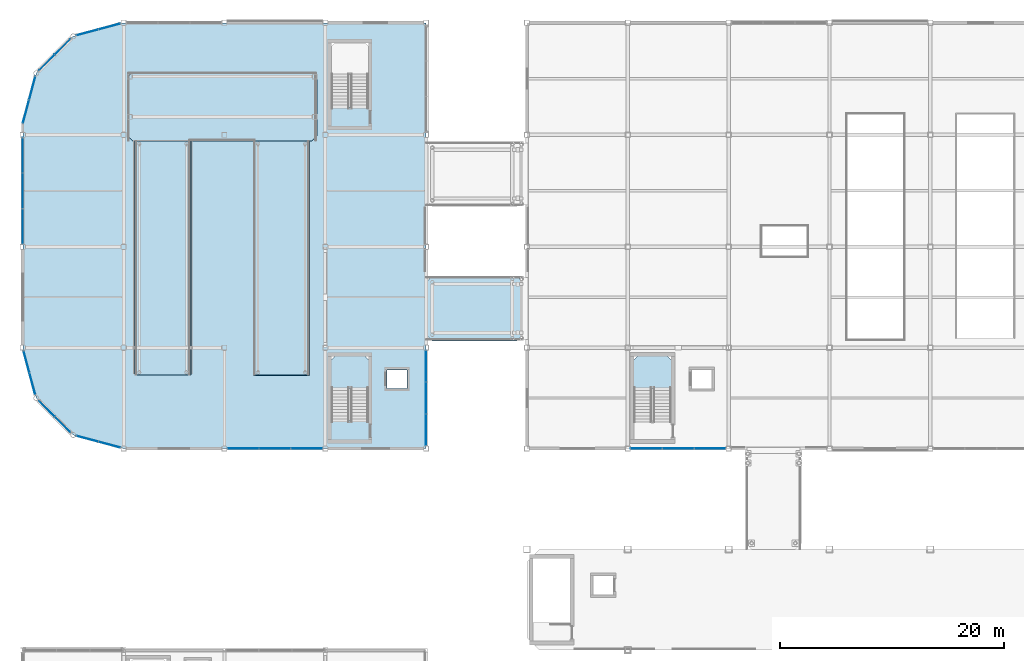
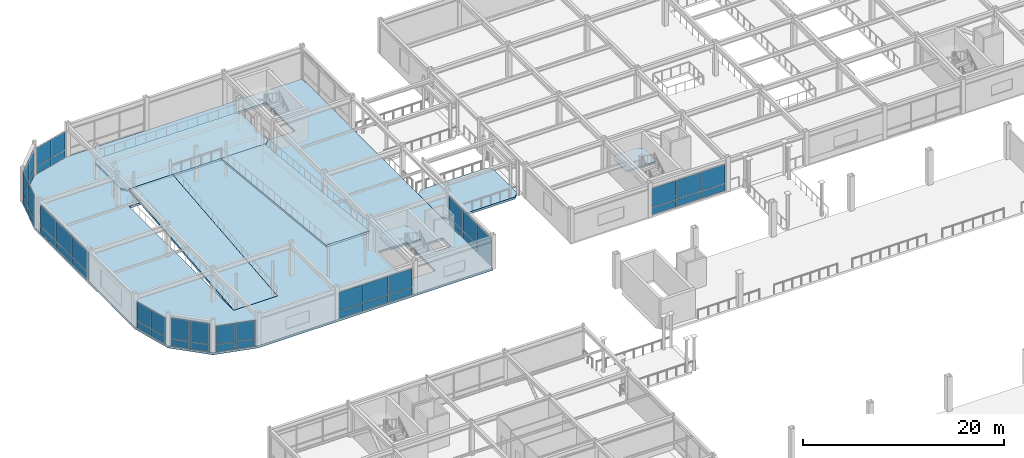
# One storey, part 63 of 105: 48 plates, 7 slabs, 12 elements without a shape of their own.
"""IFC4 building model written with IfcOpenShell, lengths in metres."""

from ifc_helpers import new_model, si_unit, direction, frame, origin, origin_2d, place, context, subcontext, project, spatial, polyline, rectangle, outline, extrude, material, layer, layer_set, type_object, element, aggregate, save


model = new_model("IFC4")

# Units and contexts
model_context = context("Model", 3, precision=1e-05, world=origin(), true_north=direction((0.0, 1.0)))
body_context = subcontext(model_context, "Body", "Model", "MODEL_VIEW")
ifc_project = project(units=[si_unit("LENGTHUNIT", "METRE"), si_unit("AREAUNIT", "SQUARE_METRE"), si_unit("VOLUMEUNIT", "CUBIC_METRE"), si_unit("PLANEANGLEUNIT", "RADIAN"), si_unit("MASSUNIT", "GRAM", prefix="KILO")], contexts=[model_context])

# Site, building, storey
site_placement = place(None, origin())
site = spatial("IfcSite", under=ifc_project, at=site_placement, CompositionType="ELEMENT")
building_placement = place(site_placement, origin())
building = spatial("IfcBuilding", under=site, at=building_placement, Name="Suzunagisa Mobility Hub", CompositionType="ELEMENT")
storey_placement = place(building_placement, frame((0.0, 0.0, 5.10009765625)))
storey = spatial("IfcBuildingStorey", under=building, at=storey_placement, Name="L01", CompositionType="ELEMENT", Elevation=5.10009765625)

# Slabs
ifc_material_1 = material(Name="Concrete C35/45", Category="concrete")
ifc_layer_1 = layer(ifc_material_1, 0.260009765625)
ifc_layer_set_1 = layer_set([ifc_layer_1], Name="Concrete C35/45")
slab_type_1 = type_object("IfcSlabType", Name="Composite Slab SL-12 260mm", PredefinedType="FLOOR", material=ifc_layer_set_1)
slab_1_placement = place(storey_placement, frame((0.0, 0.0, -0.260009765625)))
element("IfcSlab", 1, at=slab_1_placement, inside=storey, type_object=slab_type_1, Name="L01 V2 Floor Slab", PredefinedType="FLOOR", context=body_context, shape_type="SweptSolid", body=[
    extrude(outline(polyline([(0.0, 89.0), (1.205810546875, 84.5), (4.5, 81.205810546875), (9.0, 80.0), (36.0, 80.0), (36.0, 118.0), (9.0, 118.0), (4.5, 116.794189453125), (1.205810546875, 113.5), (0.0, 109.0), (0.0, 89.0)]), holes=[polyline([(27.56005859375, 82.47998046875), (30.840087890625, 82.47998046875), (30.840087890625, 88.199951171875), (27.56005859375, 88.199951171875), (27.56005859375, 82.47998046875)]), polyline([(32.52001953125, 85.3701171875), (34.280029296875, 85.3701171875), (34.280029296875, 87.030029296875), (32.52001953125, 87.030029296875), (32.52001953125, 85.3701171875)]), polyline([(27.56005859375, 110.47998046875), (30.840087890625, 110.47998046875), (30.840087890625, 116.199951171875), (27.56005859375, 116.199951171875), (27.56005859375, 110.47998046875)]), polyline([(9.97998046875, 86.64990234375), (15.02001953125, 86.64990234375), (15.02001953125, 107.39990234375), (9.97998046875, 107.39990234375), (9.97998046875, 86.64990234375)])]), origin(), (0.0, 0.0, 1.0), 0.260009765625),
])
slab_2_placement = place(storey_placement, frame((0.0, 0.0, -0.260009765625)))
element("IfcSlab", 2, at=slab_2_placement, inside=storey, type_object=slab_type_1, Name="L01 Bridge Deck VRL-L01-S", PredefinedType="FLOOR", context=body_context, shape_type="SweptSolid", body=[
    extrude(outline(polyline([(36.550048828125, 89.60009765625), (44.10009765625, 89.60009765625), (44.64990234375, 90.14990234375), (44.64990234375, 94.85009765625), (44.10009765625, 95.39990234375), (36.550048828125, 95.39990234375), (36.0, 94.85009765625), (36.0, 90.14990234375), (36.550048828125, 89.60009765625)])), origin(), (0.0, 0.0, 1.0), 0.260009765625),
])
ifc_layer_2 = layer(ifc_material_1, 0.25)
ifc_layer_set_2 = layer_set([ifc_layer_2], Name="Concrete C35/45")
slab_type_2 = type_object("IfcSlabType", Name="Composite Slab SL-13 250mm", PredefinedType="FLOOR", material=ifc_layer_set_2)
slab_3_placement = place(storey_placement, frame((0.0, 0.0, 1.849853515625)))
element("IfcSlab", 3, at=slab_3_placement, inside=storey, type_object=slab_type_2, Name="L01 Vehicle Ramp Turn Deck VR-04-L1", PredefinedType="FLOOR", context=body_context, shape_type="SweptSolid", body=[
    extrude(outline(polyline([(9.800048828125, 107.449951171875), (25.800048828125, 107.449951171875), (26.25, 107.89990234375), (26.25, 113.14990234375), (25.800048828125, 113.60009765625), (9.800048828125, 113.60009765625), (9.35009765625, 113.14990234375), (9.35009765625, 107.89990234375), (9.800048828125, 107.449951171875)])), origin(), (0.0, 0.0, 1.0), 0.25),
])
ifc_layer_3 = layer(ifc_material_1, 0.25)
ifc_layer_set_3 = layer_set([ifc_layer_3], Name="Concrete C35/45")
slab_type_3 = type_object("IfcSlabType", Name="Composite Slab SL-19 250mm", PredefinedType="FLOOR", material=ifc_layer_set_3)
slab_4_placement = place(storey_placement, frame((10.0, 86.550048828125, 0.0), z_axis=(0.0, -0.099968624446, 0.994990589969), x_axis=(1.0, 0.0, 0.0)))
element("IfcSlab", 4, at=slab_4_placement, inside=storey, type_object=slab_type_3, Name="L01 Vehicle Ramp Slab VR-04-F1", PredefinedType="FLOOR", context=body_context, shape_type="SweptSolid", body=[
    extrude(outline(polyline([(0.0, 0.0), (5.0, 0.0), (5.0, 21.005125630792342), (0.0, 21.005125630792342), (0.0, 0.0)])), origin(), (0.0, 0.0, -1.0), 0.25),
])
slab_5_placement = place(storey_placement, frame((20.60009765625, 107.449951171875, 2.099853515625), z_axis=(0.0, 0.099980131177, 0.994989433798), x_axis=(1.0, 0.0, 0.0)))
element("IfcSlab", 5, at=slab_5_placement, inside=storey, type_object=slab_type_3, Name="L01 Vehicle Ramp Slab VR-04-F2", PredefinedType="FLOOR", context=body_context, shape_type="SweptSolid", body=[
    extrude(outline(polyline([(0.0, 0.0), (5.0, 0.0), (5.0, -21.005150038599428), (0.0, -21.005150038599428), (0.0, 0.0)])), origin(), (0.0, 0.0, -1.0), 0.25),
])

# Stair, slab
stair_type_1 = type_object("IfcStairType", Name="Dog-Leg Core Escape Stair ST-05 W1560", PredefinedType="HALF_TURN_STAIR", material=ifc_material_1)
stair_1_placement = place(storey_placement, origin())
stair_1 = element("IfcStair", 6, at=stair_1_placement, inside=storey, type_object=stair_type_1, Name="L01 Core C6 Escape Stair ST-05", PredefinedType="HALF_TURN_STAIR")
ifc_layer_4 = layer(ifc_material_1, 0.199951171875)
ifc_layer_set_4 = layer_set([ifc_layer_4], Name="Concrete C35/45")
slab_type_4 = type_object("IfcSlabType", Name="Core Stair Half-Landing Slab SL-SLND", PredefinedType="LANDING", material=ifc_layer_set_4)
slab_6_placement = place(storey_placement, frame((0.0, 0.0, 1.89990234375)))
slab_6 = element("IfcSlab", 7, at=slab_6_placement, type_object=slab_type_4, Name="ST-05 landing 1", PredefinedType="LANDING", context=body_context, shape_type="SweptSolid", body=[
    extrude(outline(polyline([(27.4599609375, 85.360107421875), (30.93994140625, 85.360107421875), (30.93994140625, 87.820068359375), (30.4599609375, 88.300048828125), (27.93994140625, 88.300048828125), (27.4599609375, 87.820068359375), (27.4599609375, 85.360107421875)])), origin(), (0.0, 0.0, 1.0), 0.199951171875),
])
aggregate(stair_1, [slab_6])

stair_type_2 = type_object("IfcStairType", Name="Dog-Leg Core Escape Stair ST-07 W1560", PredefinedType="HALF_TURN_STAIR", material=ifc_material_1)
stair_2_placement = place(storey_placement, origin())
stair_2 = element("IfcStair", 8, at=stair_2_placement, inside=storey, type_object=stair_type_2, Name="L01 Core C3 Escape Stair ST-07", PredefinedType="HALF_TURN_STAIR")
slab_7_placement = place(storey_placement, frame((0.0, 0.0, 1.89990234375)))
slab_7 = element("IfcSlab", 9, at=slab_7_placement, type_object=slab_type_4, Name="ST-07 landing 1", PredefinedType="LANDING", context=body_context, shape_type="SweptSolid", body=[
    extrude(outline(polyline([(54.4599609375, 85.360107421875), (57.93994140625, 85.360107421875), (57.93994140625, 87.820068359375), (57.4599609375, 88.300048828125), (54.93994140625, 88.300048828125), (54.4599609375, 87.820068359375), (54.4599609375, 85.360107421875)])), origin(), (0.0, 0.0, 1.0), 0.199951171875),
])
aggregate(stair_2, [slab_7])

# Curtain wall, plates
ifc_material_2 = material(Name="Thermally Broken Anodized Aluminum and Low-E Glazing", Category="aluminium")
curtain_wall_type_1 = type_object("IfcCurtainWallType", Name="Unitised Curtain Wall CW-10 4000x3300", PredefinedType="USERDEFINED", material=ifc_material_2)
curtain_wall_1_placement = place(storey_placement, origin())
curtain_wall_1 = element("IfcCurtainWall", 10, at=curtain_wall_1_placement, inside=storey, type_object=curtain_wall_type_1, Name="L01 Unitised Curtain Wall CW-52", ObjectType="UNITISED CURTAIN WALL", PredefinedType="USERDEFINED")
ifc_material_3 = material(Name="Low-E Solar-Control Double Glazing", Category="glass")
ifc_layer_5 = layer(ifc_material_3, 0.028076171875)
ifc_layer_set_5 = layer_set([ifc_layer_5], Name="Low-E Solar-Control Double Glazing")
plate_type = type_object("IfcPlateType", Name="Low-E Double Glazed Curtain Panel GP-01 28mm", PredefinedType="CURTAIN_PANEL", material=ifc_layer_set_5)
plate_1_placement = place(storey_placement, frame((0.3408203125, 87.728515625, 0.05810546875), z_axis=(0.0, 0.0, 1.0), x_axis=(0.258821357779, -0.965925206606, 0.0)))
plate_1 = element("IfcPlate", 11, at=plate_1_placement, type_object=plate_type, Name="Curtain Wall Glazing Panel 52-P1.1", PredefinedType="CURTAIN_PANEL", context=body_context, shape_type="SweptSolid", body=[
    extrude(rectangle(XDim=1.965576171875, YDim=0.028076171875, at=origin_2d()), origin(), (0.0, 0.0, 1.0), 0.864013671875),
])
plate_2_placement = place(storey_placement, frame((0.3408203125, 87.728515625, 0.97802734375), z_axis=(0.0, 0.0, 1.0), x_axis=(0.258821357779, -0.965925206606, 0.0)))
plate_2 = element("IfcPlate", 12, at=plate_2_placement, type_object=plate_type, Name="Curtain Wall Glazing Panel 52-P1.2", PredefinedType="CURTAIN_PANEL", context=body_context, shape_type="SweptSolid", body=[
    extrude(rectangle(XDim=1.965576171875, YDim=0.028076171875, at=origin_2d()), origin(), (0.0, 0.0, 1.0), 2.25390625),
])
plate_3_placement = place(storey_placement, frame((0.864013671875, 85.77587890625, 0.05810546875), z_axis=(0.0, 0.0, 1.0), x_axis=(0.258821357779, -0.965925206606, 0.0)))
plate_3 = element("IfcPlate", 13, at=plate_3_placement, type_object=plate_type, Name="Curtain Wall Glazing Panel 52-P2.1", PredefinedType="CURTAIN_PANEL", context=body_context, shape_type="SweptSolid", body=[
    extrude(rectangle(XDim=1.965576171875, YDim=0.028076171875, at=origin_2d()), origin(), (0.0, 0.0, 1.0), 0.864013671875),
])
plate_4_placement = place(storey_placement, frame((0.864013671875, 85.77587890625, 0.97802734375), z_axis=(0.0, 0.0, 1.0), x_axis=(0.258821357779, -0.965925206606, 0.0)))
plate_4 = element("IfcPlate", 14, at=plate_4_placement, type_object=plate_type, Name="Curtain Wall Glazing Panel 52-P2.2", PredefinedType="CURTAIN_PANEL", context=body_context, shape_type="SweptSolid", body=[
    extrude(rectangle(XDim=1.965576171875, YDim=0.028076171875, at=origin_2d()), origin(), (0.0, 0.0, 1.0), 2.25390625),
])
aggregate(curtain_wall_1, [plate_1, plate_2, plate_3, plate_4])

curtain_wall_type_2 = type_object("IfcCurtainWallType", Name="Unitised Curtain Wall CW-23 4000x3500", PredefinedType="USERDEFINED", material=ifc_material_2)
curtain_wall_2_placement = place(storey_placement, origin())
curtain_wall_2 = element("IfcCurtainWall", 15, at=curtain_wall_2_placement, inside=storey, type_object=curtain_wall_type_2, Name="L01 Unitised Curtain Wall CW-53", ObjectType="UNITISED CURTAIN WALL", PredefinedType="USERDEFINED")
plate_5_placement = place(storey_placement, frame((2.154296875, 83.551513671875, 0.05810546875), z_axis=(0.0, 0.0, 1.0), x_axis=(0.707106781187, -0.707106781187, 0.0)))
plate_5 = element("IfcPlate", 16, at=plate_5_placement, type_object=plate_type, Name="Curtain Wall Glazing Panel 53-P1.1", PredefinedType="CURTAIN_PANEL", context=body_context, shape_type="SweptSolid", body=[
    extrude(rectangle(XDim=1.920166015625, YDim=0.028076171875, at=origin_2d()), origin(), (0.0, 0.0, 1.0), 0.864013671875),
])
plate_6_placement = place(storey_placement, frame((2.154296875, 83.551513671875, 0.97802734375), z_axis=(0.0, 0.0, 1.0), x_axis=(0.707106781187, -0.707106781187, 0.0)))
plate_6 = element("IfcPlate", 17, at=plate_6_placement, type_object=plate_type, Name="Curtain Wall Glazing Panel 53-P1.2", PredefinedType="CURTAIN_PANEL", context=body_context, shape_type="SweptSolid", body=[
    extrude(rectangle(XDim=1.920166015625, YDim=0.028076171875, at=origin_2d()), origin(), (0.0, 0.0, 1.0), 2.50390625),
])
plate_7_placement = place(storey_placement, frame((3.551513671875, 82.154296875, 0.05810546875), z_axis=(0.0, 0.0, 1.0), x_axis=(0.707106781187, -0.707106781187, 0.0)))
plate_7 = element("IfcPlate", 18, at=plate_7_placement, type_object=plate_type, Name="Curtain Wall Glazing Panel 53-P2.1", PredefinedType="CURTAIN_PANEL", context=body_context, shape_type="SweptSolid", body=[
    extrude(rectangle(XDim=1.919921875, YDim=0.028076171875, at=origin_2d()), origin(), (0.0, 0.0, 1.0), 0.864013671875),
])
plate_8_placement = place(storey_placement, frame((3.551513671875, 82.154296875, 0.97802734375), z_axis=(0.0, 0.0, 1.0), x_axis=(0.707106781187, -0.707106781187, 0.0)))
plate_8 = element("IfcPlate", 19, at=plate_8_placement, type_object=plate_type, Name="Curtain Wall Glazing Panel 53-P2.2", PredefinedType="CURTAIN_PANEL", context=body_context, shape_type="SweptSolid", body=[
    extrude(rectangle(XDim=1.919921875, YDim=0.028076171875, at=origin_2d()), origin(), (0.0, 0.0, 1.0), 2.50390625),
])
aggregate(curtain_wall_2, [plate_5, plate_6, plate_7, plate_8])

curtain_wall_type_3 = type_object("IfcCurtainWallType", Name="Unitised Curtain Wall CW-31 4000x3200", PredefinedType="USERDEFINED", material=ifc_material_2)
curtain_wall_3_placement = place(storey_placement, origin())
curtain_wall_3 = element("IfcCurtainWall", 20, at=curtain_wall_3_placement, inside=storey, type_object=curtain_wall_type_3, Name="L01 Unitised Curtain Wall CW-54", ObjectType="UNITISED CURTAIN WALL", PredefinedType="USERDEFINED")
plate_9_placement = place(storey_placement, frame((5.775634765625, 80.864013671875, 0.05810546875), z_axis=(0.0, 0.0, 1.0), x_axis=(0.965925206606, -0.258821357779, 0.0)))
plate_9 = element("IfcPlate", 21, at=plate_9_placement, type_object=plate_type, Name="Curtain Wall Glazing Panel 54-P1.1", PredefinedType="CURTAIN_PANEL", context=body_context, shape_type="SweptSolid", body=[
    extrude(rectangle(XDim=1.965576171875, YDim=0.028076171875, at=origin_2d()), origin(), (0.0, 0.0, 1.0), 0.864013671875),
])
plate_10_placement = place(storey_placement, frame((5.775634765625, 80.864013671875, 0.977783203125), z_axis=(0.0, 0.0, 1.0), x_axis=(0.965925206606, -0.258821357779, 0.0)))
plate_10 = element("IfcPlate", 22, at=plate_10_placement, type_object=plate_type, Name="Curtain Wall Glazing Panel 54-P1.2", PredefinedType="CURTAIN_PANEL", context=body_context, shape_type="SweptSolid", body=[
    extrude(rectangle(XDim=1.965576171875, YDim=0.028076171875, at=origin_2d()), origin(), (0.0, 0.0, 1.0), 2.2041015625),
])
plate_11_placement = place(storey_placement, frame((7.728515625, 80.3408203125, 0.05810546875), z_axis=(0.0, 0.0, 1.0), x_axis=(0.965925206606, -0.258821357779, 0.0)))
plate_11 = element("IfcPlate", 23, at=plate_11_placement, type_object=plate_type, Name="Curtain Wall Glazing Panel 54-P2.1", PredefinedType="CURTAIN_PANEL", context=body_context, shape_type="SweptSolid", body=[
    extrude(rectangle(XDim=1.965576171875, YDim=0.028076171875, at=origin_2d()), origin(), (0.0, 0.0, 1.0), 0.864013671875),
])
plate_12_placement = place(storey_placement, frame((7.728515625, 80.3408203125, 0.977783203125), z_axis=(0.0, 0.0, 1.0), x_axis=(0.965925206606, -0.258821357779, 0.0)))
plate_12 = element("IfcPlate", 24, at=plate_12_placement, type_object=plate_type, Name="Curtain Wall Glazing Panel 54-P2.2", PredefinedType="CURTAIN_PANEL", context=body_context, shape_type="SweptSolid", body=[
    extrude(rectangle(XDim=1.965576171875, YDim=0.028076171875, at=origin_2d()), origin(), (0.0, 0.0, 1.0), 2.2041015625),
])
aggregate(curtain_wall_3, [plate_9, plate_10, plate_11, plate_12])

curtain_wall_type_4 = type_object("IfcCurtainWallType", Name="Unitised Curtain Wall CW-43 8500x3300", PredefinedType="USERDEFINED", material=ifc_material_2)
curtain_wall_4_placement = place(storey_placement, origin())
curtain_wall_4 = element("IfcCurtainWall", 25, at=curtain_wall_4_placement, inside=storey, type_object=curtain_wall_type_4, Name="L01 Unitised Curtain Wall CW-55", ObjectType="UNITISED CURTAIN WALL", PredefinedType="USERDEFINED")
plate_13_placement = place(storey_placement, frame((19.6650390625, 80.0, 0.06298828125), z_axis=(0.0, 0.0, 1.0), x_axis=(1.0, 0.0, 0.0)))
plate_13 = element("IfcPlate", 26, at=plate_13_placement, type_object=plate_type, Name="Curtain Wall Glazing Panel 55-P1.1", PredefinedType="CURTAIN_PANEL", context=body_context, shape_type="SweptSolid", body=[
    extrude(rectangle(XDim=2.763916015625, YDim=0.028076171875, at=origin_2d()), origin(), (0.0, 0.0, 1.0), 0.8564453125),
])
plate_14_placement = place(storey_placement, frame((19.6650390625, 80.0, 0.980224609375), z_axis=(0.0, 0.0, 1.0), x_axis=(1.0, 0.0, 0.0)))
plate_14 = element("IfcPlate", 27, at=plate_14_placement, type_object=plate_type, Name="Curtain Wall Glazing Panel 55-P1.2", PredefinedType="CURTAIN_PANEL", context=body_context, shape_type="SweptSolid", body=[
    extrude(rectangle(XDim=2.763916015625, YDim=0.028076171875, at=origin_2d()), origin(), (0.0, 0.0, 1.0), 2.24658203125),
])
plate_15_placement = place(storey_placement, frame((22.5, 80.0, 0.06298828125), z_axis=(0.0, 0.0, 1.0), x_axis=(1.0, 0.0, 0.0)))
plate_15 = element("IfcPlate", 28, at=plate_15_placement, type_object=plate_type, Name="Curtain Wall Glazing Panel 55-P2.1", PredefinedType="CURTAIN_PANEL", context=body_context, shape_type="SweptSolid", body=[
    extrude(rectangle(XDim=2.7939453125, YDim=0.028076171875, at=origin_2d()), origin(), (0.0, 0.0, 1.0), 0.8564453125),
])
plate_16_placement = place(storey_placement, frame((22.5, 80.0, 0.980224609375), z_axis=(0.0, 0.0, 1.0), x_axis=(1.0, 0.0, 0.0)))
plate_16 = element("IfcPlate", 29, at=plate_16_placement, type_object=plate_type, Name="Curtain Wall Glazing Panel 55-P2.2", PredefinedType="CURTAIN_PANEL", context=body_context, shape_type="SweptSolid", body=[
    extrude(rectangle(XDim=2.7939453125, YDim=0.028076171875, at=origin_2d()), origin(), (0.0, 0.0, 1.0), 2.24658203125),
])
plate_17_placement = place(storey_placement, frame((25.3349609375, 80.0, 0.06298828125), z_axis=(0.0, 0.0, 1.0), x_axis=(1.0, 0.0, 0.0)))
plate_17 = element("IfcPlate", 30, at=plate_17_placement, type_object=plate_type, Name="Curtain Wall Glazing Panel 55-P3.1", PredefinedType="CURTAIN_PANEL", context=body_context, shape_type="SweptSolid", body=[
    extrude(rectangle(XDim=2.763916015625, YDim=0.028076171875, at=origin_2d()), origin(), (0.0, 0.0, 1.0), 0.8564453125),
])
plate_18_placement = place(storey_placement, frame((25.3349609375, 80.0, 0.980224609375), z_axis=(0.0, 0.0, 1.0), x_axis=(1.0, 0.0, 0.0)))
plate_18 = element("IfcPlate", 31, at=plate_18_placement, type_object=plate_type, Name="Curtain Wall Glazing Panel 55-P3.2", PredefinedType="CURTAIN_PANEL", context=body_context, shape_type="SweptSolid", body=[
    extrude(rectangle(XDim=2.763916015625, YDim=0.028076171875, at=origin_2d()), origin(), (0.0, 0.0, 1.0), 2.24658203125),
])
aggregate(curtain_wall_4, [plate_13, plate_14, plate_15, plate_16, plate_17, plate_18])

curtain_wall_type_5 = type_object("IfcCurtainWallType", Name="Unitised Curtain Wall CW-14 8500x3600", PredefinedType="USERDEFINED", material=ifc_material_2)
curtain_wall_5_placement = place(storey_placement, origin())
curtain_wall_5 = element("IfcCurtainWall", 32, at=curtain_wall_5_placement, inside=storey, type_object=curtain_wall_type_5, Name="L01 Unitised Curtain Wall CW-56", ObjectType="UNITISED CURTAIN WALL", PredefinedType="USERDEFINED")
plate_19_placement = place(storey_placement, frame((36.0, 81.6650390625, 0.06298828125), z_axis=(0.0, 0.0, 1.0), x_axis=(0.0, 1.0, 0.0)))
plate_19 = element("IfcPlate", 33, at=plate_19_placement, type_object=plate_type, Name="Curtain Wall Glazing Panel 56-P1.1", PredefinedType="CURTAIN_PANEL", context=body_context, shape_type="SweptSolid", body=[
    extrude(rectangle(XDim=2.763916015625, YDim=0.028076171875, at=origin_2d()), origin(), (0.0, 0.0, 1.0), 0.8564453125),
])
plate_20_placement = place(storey_placement, frame((36.0, 81.6650390625, 0.98046875), z_axis=(0.0, 0.0, 1.0), x_axis=(0.0, 1.0, 0.0)))
plate_20 = element("IfcPlate", 34, at=plate_20_placement, type_object=plate_type, Name="Curtain Wall Glazing Panel 56-P1.2", PredefinedType="CURTAIN_PANEL", context=body_context, shape_type="SweptSolid", body=[
    extrude(rectangle(XDim=2.763916015625, YDim=0.028076171875, at=origin_2d()), origin(), (0.0, 0.0, 1.0), 2.506591796875),
])
plate_21_placement = place(storey_placement, frame((36.0, 84.5, 0.06298828125), z_axis=(0.0, 0.0, 1.0), x_axis=(0.0, 1.0, 0.0)))
plate_21 = element("IfcPlate", 35, at=plate_21_placement, type_object=plate_type, Name="Curtain Wall Glazing Panel 56-P2.1", PredefinedType="CURTAIN_PANEL", context=body_context, shape_type="SweptSolid", body=[
    extrude(rectangle(XDim=2.7939453125, YDim=0.028076171875, at=origin_2d()), origin(), (0.0, 0.0, 1.0), 0.8564453125),
])
plate_22_placement = place(storey_placement, frame((36.0, 84.5, 0.98046875), z_axis=(0.0, 0.0, 1.0), x_axis=(0.0, 1.0, 0.0)))
plate_22 = element("IfcPlate", 36, at=plate_22_placement, type_object=plate_type, Name="Curtain Wall Glazing Panel 56-P2.2", PredefinedType="CURTAIN_PANEL", context=body_context, shape_type="SweptSolid", body=[
    extrude(rectangle(XDim=2.7939453125, YDim=0.028076171875, at=origin_2d()), origin(), (0.0, 0.0, 1.0), 2.506591796875),
])
plate_23_placement = place(storey_placement, frame((36.0, 87.3349609375, 0.06298828125), z_axis=(0.0, 0.0, 1.0), x_axis=(0.0, 1.0, 0.0)))
plate_23 = element("IfcPlate", 37, at=plate_23_placement, type_object=plate_type, Name="Curtain Wall Glazing Panel 56-P3.1", PredefinedType="CURTAIN_PANEL", context=body_context, shape_type="SweptSolid", body=[
    extrude(rectangle(XDim=2.763916015625, YDim=0.028076171875, at=origin_2d()), origin(), (0.0, 0.0, 1.0), 0.8564453125),
])
plate_24_placement = place(storey_placement, frame((36.0, 87.3349609375, 0.98046875), z_axis=(0.0, 0.0, 1.0), x_axis=(0.0, 1.0, 0.0)))
plate_24 = element("IfcPlate", 38, at=plate_24_placement, type_object=plate_type, Name="Curtain Wall Glazing Panel 56-P3.2", PredefinedType="CURTAIN_PANEL", context=body_context, shape_type="SweptSolid", body=[
    extrude(rectangle(XDim=2.763916015625, YDim=0.028076171875, at=origin_2d()), origin(), (0.0, 0.0, 1.0), 2.506591796875),
])
aggregate(curtain_wall_5, [plate_19, plate_20, plate_21, plate_22, plate_23, plate_24])

curtain_wall_6_placement = place(storey_placement, origin())
curtain_wall_6 = element("IfcCurtainWall", 39, at=curtain_wall_6_placement, inside=storey, type_object=curtain_wall_type_3, Name="L01 Unitised Curtain Wall CW-59", ObjectType="UNITISED CURTAIN WALL", PredefinedType="USERDEFINED")
plate_25_placement = place(storey_placement, frame((7.728515625, 117.6591796875, 0.05810546875), z_axis=(0.0, 0.0, 1.0), x_axis=(-0.965925206606, -0.258821357779, 0.0)))
plate_25 = element("IfcPlate", 40, at=plate_25_placement, type_object=plate_type, Name="Curtain Wall Glazing Panel 59-P1.1", PredefinedType="CURTAIN_PANEL", context=body_context, shape_type="SweptSolid", body=[
    extrude(rectangle(XDim=1.965576171875, YDim=0.028076171875, at=origin_2d()), origin(), (0.0, 0.0, 1.0), 0.864013671875),
])
plate_26_placement = place(storey_placement, frame((7.728515625, 117.6591796875, 0.977783203125), z_axis=(0.0, 0.0, 1.0), x_axis=(-0.965925206606, -0.258821357779, 0.0)))
plate_26 = element("IfcPlate", 41, at=plate_26_placement, type_object=plate_type, Name="Curtain Wall Glazing Panel 59-P1.2", PredefinedType="CURTAIN_PANEL", context=body_context, shape_type="SweptSolid", body=[
    extrude(rectangle(XDim=1.965576171875, YDim=0.028076171875, at=origin_2d()), origin(), (0.0, 0.0, 1.0), 2.2041015625),
])
plate_27_placement = place(storey_placement, frame((5.77587890625, 117.135986328125, 0.05810546875), z_axis=(0.0, 0.0, 1.0), x_axis=(-0.965925206606, -0.258821357779, 0.0)))
plate_27 = element("IfcPlate", 42, at=plate_27_placement, type_object=plate_type, Name="Curtain Wall Glazing Panel 59-P2.1", PredefinedType="CURTAIN_PANEL", context=body_context, shape_type="SweptSolid", body=[
    extrude(rectangle(XDim=1.965576171875, YDim=0.028076171875, at=origin_2d()), origin(), (0.0, 0.0, 1.0), 0.864013671875),
])
plate_28_placement = place(storey_placement, frame((5.77587890625, 117.135986328125, 0.977783203125), z_axis=(0.0, 0.0, 1.0), x_axis=(-0.965925206606, -0.258821357779, 0.0)))
plate_28 = element("IfcPlate", 43, at=plate_28_placement, type_object=plate_type, Name="Curtain Wall Glazing Panel 59-P2.2", PredefinedType="CURTAIN_PANEL", context=body_context, shape_type="SweptSolid", body=[
    extrude(rectangle(XDim=1.965576171875, YDim=0.028076171875, at=origin_2d()), origin(), (0.0, 0.0, 1.0), 2.2041015625),
])
aggregate(curtain_wall_6, [plate_25, plate_26, plate_27, plate_28])

curtain_wall_7_placement = place(storey_placement, origin())
curtain_wall_7 = element("IfcCurtainWall", 44, at=curtain_wall_7_placement, inside=storey, type_object=curtain_wall_type_2, Name="L01 Unitised Curtain Wall CW-60", ObjectType="UNITISED CURTAIN WALL", PredefinedType="USERDEFINED")
plate_29_placement = place(storey_placement, frame((3.551513671875, 115.845703125, 0.05810546875), z_axis=(0.0, 0.0, 1.0), x_axis=(-0.707106781187, -0.707106781187, 0.0)))
plate_29 = element("IfcPlate", 45, at=plate_29_placement, type_object=plate_type, Name="Curtain Wall Glazing Panel 60-P1.1", PredefinedType="CURTAIN_PANEL", context=body_context, shape_type="SweptSolid", body=[
    extrude(rectangle(XDim=1.920166015625, YDim=0.028076171875, at=origin_2d()), origin(), (0.0, 0.0, 1.0), 0.864013671875),
])
plate_30_placement = place(storey_placement, frame((3.551513671875, 115.845703125, 0.97802734375), z_axis=(0.0, 0.0, 1.0), x_axis=(-0.707106781187, -0.707106781187, 0.0)))
plate_30 = element("IfcPlate", 46, at=plate_30_placement, type_object=plate_type, Name="Curtain Wall Glazing Panel 60-P1.2", PredefinedType="CURTAIN_PANEL", context=body_context, shape_type="SweptSolid", body=[
    extrude(rectangle(XDim=1.920166015625, YDim=0.028076171875, at=origin_2d()), origin(), (0.0, 0.0, 1.0), 2.50390625),
])
plate_31_placement = place(storey_placement, frame((2.154296875, 114.448486328125, 0.05810546875), z_axis=(0.0, 0.0, 1.0), x_axis=(-0.707106781187, -0.707106781187, 0.0)))
plate_31 = element("IfcPlate", 47, at=plate_31_placement, type_object=plate_type, Name="Curtain Wall Glazing Panel 60-P2.1", PredefinedType="CURTAIN_PANEL", context=body_context, shape_type="SweptSolid", body=[
    extrude(rectangle(XDim=1.919921875, YDim=0.028076171875, at=origin_2d()), origin(), (0.0, 0.0, 1.0), 0.864013671875),
])
plate_32_placement = place(storey_placement, frame((2.154296875, 114.448486328125, 0.97802734375), z_axis=(0.0, 0.0, 1.0), x_axis=(-0.707106781187, -0.707106781187, 0.0)))
plate_32 = element("IfcPlate", 48, at=plate_32_placement, type_object=plate_type, Name="Curtain Wall Glazing Panel 60-P2.2", PredefinedType="CURTAIN_PANEL", context=body_context, shape_type="SweptSolid", body=[
    extrude(rectangle(XDim=1.919921875, YDim=0.028076171875, at=origin_2d()), origin(), (0.0, 0.0, 1.0), 2.50390625),
])
aggregate(curtain_wall_7, [plate_29, plate_30, plate_31, plate_32])

curtain_wall_type_6 = type_object("IfcCurtainWallType", Name="Unitised Curtain Wall CW-48 4500x3900", PredefinedType="USERDEFINED", material=ifc_material_2)
curtain_wall_8_placement = place(storey_placement, origin())
curtain_wall_8 = element("IfcCurtainWall", 49, at=curtain_wall_8_placement, inside=storey, type_object=curtain_wall_type_6, Name="L01 Unitised Curtain Wall CW-61", ObjectType="UNITISED CURTAIN WALL", PredefinedType="USERDEFINED")
plate_33_placement = place(storey_placement, frame((0.84619140625, 112.15771484375, 0.05810546875), z_axis=(0.0, 0.0, 1.0), x_axis=(-0.258815230137, -0.965926848498, 0.0)))
plate_33 = element("IfcPlate", 50, at=plate_33_placement, type_object=plate_type, Name="Curtain Wall Glazing Panel 61-P1.1", PredefinedType="CURTAIN_PANEL", context=body_context, shape_type="SweptSolid", body=[
    extrude(rectangle(XDim=2.103515625, YDim=0.028076171875, at=origin_2d()), origin(), (0.0, 0.0, 1.0), 0.864013671875),
])
plate_34_placement = place(storey_placement, frame((0.84619140625, 112.15771484375, 0.97802734375), z_axis=(0.0, 0.0, 1.0), x_axis=(-0.258815230137, -0.965926848498, 0.0)))
plate_34 = element("IfcPlate", 51, at=plate_34_placement, type_object=plate_type, Name="Curtain Wall Glazing Panel 61-P1.2", PredefinedType="CURTAIN_PANEL", context=body_context, shape_type="SweptSolid", body=[
    extrude(rectangle(XDim=2.103515625, YDim=0.028076171875, at=origin_2d()), origin(), (0.0, 0.0, 1.0), 2.904052734375),
])
plate_35_placement = place(storey_placement, frame((0.287109375, 110.072021484375, 0.05810546875), z_axis=(0.0, 0.0, 1.0), x_axis=(-0.258815230137, -0.965926848498, 0.0)))
plate_35 = element("IfcPlate", 52, at=plate_35_placement, type_object=plate_type, Name="Curtain Wall Glazing Panel 61-P2.1", PredefinedType="CURTAIN_PANEL", context=body_context, shape_type="SweptSolid", body=[
    extrude(rectangle(XDim=2.103515625, YDim=0.028076171875, at=origin_2d()), origin(), (0.0, 0.0, 1.0), 0.864013671875),
])
plate_36_placement = place(storey_placement, frame((0.287109375, 110.072021484375, 0.97802734375), z_axis=(0.0, 0.0, 1.0), x_axis=(-0.258815230137, -0.965926848498, 0.0)))
plate_36 = element("IfcPlate", 53, at=plate_36_placement, type_object=plate_type, Name="Curtain Wall Glazing Panel 61-P2.2", PredefinedType="CURTAIN_PANEL", context=body_context, shape_type="SweptSolid", body=[
    extrude(rectangle(XDim=2.103515625, YDim=0.028076171875, at=origin_2d()), origin(), (0.0, 0.0, 1.0), 2.904052734375),
])
aggregate(curtain_wall_8, [plate_33, plate_34, plate_35, plate_36])

curtain_wall_type_7 = type_object("IfcCurtainWallType", Name="Unitised Curtain Wall CW-03 9500x3600", PredefinedType="USERDEFINED", material=ifc_material_2)
curtain_wall_9_placement = place(storey_placement, origin())
curtain_wall_9 = element("IfcCurtainWall", 54, at=curtain_wall_9_placement, inside=storey, type_object=curtain_wall_type_7, Name="L01 Unitised Curtain Wall CW-62", ObjectType="UNITISED CURTAIN WALL", PredefinedType="USERDEFINED")
plate_37_placement = place(storey_placement, frame((0.0, 106.16845703125, 0.06298828125), z_axis=(0.0, 0.0, 1.0), x_axis=(0.0, -1.0, 0.0)))
plate_37 = element("IfcPlate", 55, at=plate_37_placement, type_object=plate_type, Name="Curtain Wall Glazing Panel 62-P1.1", PredefinedType="CURTAIN_PANEL", context=body_context, shape_type="SweptSolid", body=[
    extrude(rectangle(XDim=3.097412109375, YDim=0.028076171875, at=origin_2d()), origin(), (0.0, 0.0, 1.0), 0.8564453125),
])
plate_38_placement = place(storey_placement, frame((0.0, 106.16845703125, 0.98046875), z_axis=(0.0, 0.0, 1.0), x_axis=(0.0, -1.0, 0.0)))
plate_38 = element("IfcPlate", 56, at=plate_38_placement, type_object=plate_type, Name="Curtain Wall Glazing Panel 62-P1.2", PredefinedType="CURTAIN_PANEL", context=body_context, shape_type="SweptSolid", body=[
    extrude(rectangle(XDim=3.097412109375, YDim=0.028076171875, at=origin_2d()), origin(), (0.0, 0.0, 1.0), 2.506591796875),
])
plate_39_placement = place(storey_placement, frame((0.0, 103.0, 0.06298828125), z_axis=(0.0, 0.0, 1.0), x_axis=(0.0, -1.0, 0.0)))
plate_39 = element("IfcPlate", 57, at=plate_39_placement, type_object=plate_type, Name="Curtain Wall Glazing Panel 62-P2.1", PredefinedType="CURTAIN_PANEL", context=body_context, shape_type="SweptSolid", body=[
    extrude(rectangle(XDim=3.12744140625, YDim=0.028076171875, at=origin_2d()), origin(), (0.0, 0.0, 1.0), 0.8564453125),
])
plate_40_placement = place(storey_placement, frame((0.0, 103.0, 0.98046875), z_axis=(0.0, 0.0, 1.0), x_axis=(0.0, -1.0, 0.0)))
plate_40 = element("IfcPlate", 58, at=plate_40_placement, type_object=plate_type, Name="Curtain Wall Glazing Panel 62-P2.2", PredefinedType="CURTAIN_PANEL", context=body_context, shape_type="SweptSolid", body=[
    extrude(rectangle(XDim=3.12744140625, YDim=0.028076171875, at=origin_2d()), origin(), (0.0, 0.0, 1.0), 2.506591796875),
])
plate_41_placement = place(storey_placement, frame((0.0, 99.831787109375, 0.06298828125), z_axis=(0.0, 0.0, 1.0), x_axis=(0.0, -1.0, 0.0)))
plate_41 = element("IfcPlate", 59, at=plate_41_placement, type_object=plate_type, Name="Curtain Wall Glazing Panel 62-P3.1", PredefinedType="CURTAIN_PANEL", context=body_context, shape_type="SweptSolid", body=[
    extrude(rectangle(XDim=3.097412109375, YDim=0.028076171875, at=origin_2d()), origin(), (0.0, 0.0, 1.0), 0.8564453125),
])
plate_42_placement = place(storey_placement, frame((0.0, 99.831787109375, 0.98046875), z_axis=(0.0, 0.0, 1.0), x_axis=(0.0, -1.0, 0.0)))
plate_42 = element("IfcPlate", 60, at=plate_42_placement, type_object=plate_type, Name="Curtain Wall Glazing Panel 62-P3.2", PredefinedType="CURTAIN_PANEL", context=body_context, shape_type="SweptSolid", body=[
    extrude(rectangle(XDim=3.097412109375, YDim=0.028076171875, at=origin_2d()), origin(), (0.0, 0.0, 1.0), 2.506591796875),
])
aggregate(curtain_wall_9, [plate_37, plate_38, plate_39, plate_40, plate_41, plate_42])

curtain_wall_type_8 = type_object("IfcCurtainWallType", Name="Unitised Curtain Wall CW-29 8500x3400", PredefinedType="USERDEFINED", material=ifc_material_2)
curtain_wall_10_placement = place(storey_placement, origin())
curtain_wall_10 = element("IfcCurtainWall", 61, at=curtain_wall_10_placement, inside=storey, type_object=curtain_wall_type_8, Name="L01 Unitised Curtain Wall CW-100", ObjectType="UNITISED CURTAIN WALL", PredefinedType="USERDEFINED")
plate_43_placement = place(storey_placement, frame((55.6650390625, 80.0, 0.06298828125), z_axis=(0.0, 0.0, 1.0), x_axis=(1.0, 0.0, 0.0)))
plate_43 = element("IfcPlate", 62, at=plate_43_placement, type_object=plate_type, Name="Curtain Wall Glazing Panel 100-P1.1", PredefinedType="CURTAIN_PANEL", context=body_context, shape_type="SweptSolid", body=[
    extrude(rectangle(XDim=2.763916015625, YDim=0.028076171875, at=origin_2d()), origin(), (0.0, 0.0, 1.0), 0.8564453125),
])
plate_44_placement = place(storey_placement, frame((55.6650390625, 80.0, 0.98046875), z_axis=(0.0, 0.0, 1.0), x_axis=(1.0, 0.0, 0.0)))
plate_44 = element("IfcPlate", 63, at=plate_44_placement, type_object=plate_type, Name="Curtain Wall Glazing Panel 100-P1.2", PredefinedType="CURTAIN_PANEL", context=body_context, shape_type="SweptSolid", body=[
    extrude(rectangle(XDim=2.763916015625, YDim=0.028076171875, at=origin_2d()), origin(), (0.0, 0.0, 1.0), 2.30859375),
])
plate_45_placement = place(storey_placement, frame((58.5, 80.0, 0.06298828125), z_axis=(0.0, 0.0, 1.0), x_axis=(1.0, 0.0, 0.0)))
plate_45 = element("IfcPlate", 64, at=plate_45_placement, type_object=plate_type, Name="Curtain Wall Glazing Panel 100-P2.1", PredefinedType="CURTAIN_PANEL", context=body_context, shape_type="SweptSolid", body=[
    extrude(rectangle(XDim=2.7939453125, YDim=0.028076171875, at=origin_2d()), origin(), (0.0, 0.0, 1.0), 0.8564453125),
])
plate_46_placement = place(storey_placement, frame((58.5, 80.0, 0.98046875), z_axis=(0.0, 0.0, 1.0), x_axis=(1.0, 0.0, 0.0)))
plate_46 = element("IfcPlate", 65, at=plate_46_placement, type_object=plate_type, Name="Curtain Wall Glazing Panel 100-P2.2", PredefinedType="CURTAIN_PANEL", context=body_context, shape_type="SweptSolid", body=[
    extrude(rectangle(XDim=2.7939453125, YDim=0.028076171875, at=origin_2d()), origin(), (0.0, 0.0, 1.0), 2.30859375),
])
plate_47_placement = place(storey_placement, frame((61.3349609375, 80.0, 0.06298828125), z_axis=(0.0, 0.0, 1.0), x_axis=(1.0, 0.0, 0.0)))
plate_47 = element("IfcPlate", 66, at=plate_47_placement, type_object=plate_type, Name="Curtain Wall Glazing Panel 100-P3.1", PredefinedType="CURTAIN_PANEL", context=body_context, shape_type="SweptSolid", body=[
    extrude(rectangle(XDim=2.763916015625, YDim=0.028076171875, at=origin_2d()), origin(), (0.0, 0.0, 1.0), 0.8564453125),
])
plate_48_placement = place(storey_placement, frame((61.3349609375, 80.0, 0.98046875), z_axis=(0.0, 0.0, 1.0), x_axis=(1.0, 0.0, 0.0)))
plate_48 = element("IfcPlate", 67, at=plate_48_placement, type_object=plate_type, Name="Curtain Wall Glazing Panel 100-P3.2", PredefinedType="CURTAIN_PANEL", context=body_context, shape_type="SweptSolid", body=[
    extrude(rectangle(XDim=2.763916015625, YDim=0.028076171875, at=origin_2d()), origin(), (0.0, 0.0, 1.0), 2.30859375),
])
aggregate(curtain_wall_10, [plate_43, plate_44, plate_45, plate_46, plate_47, plate_48])

save(model, "model.ifc")
